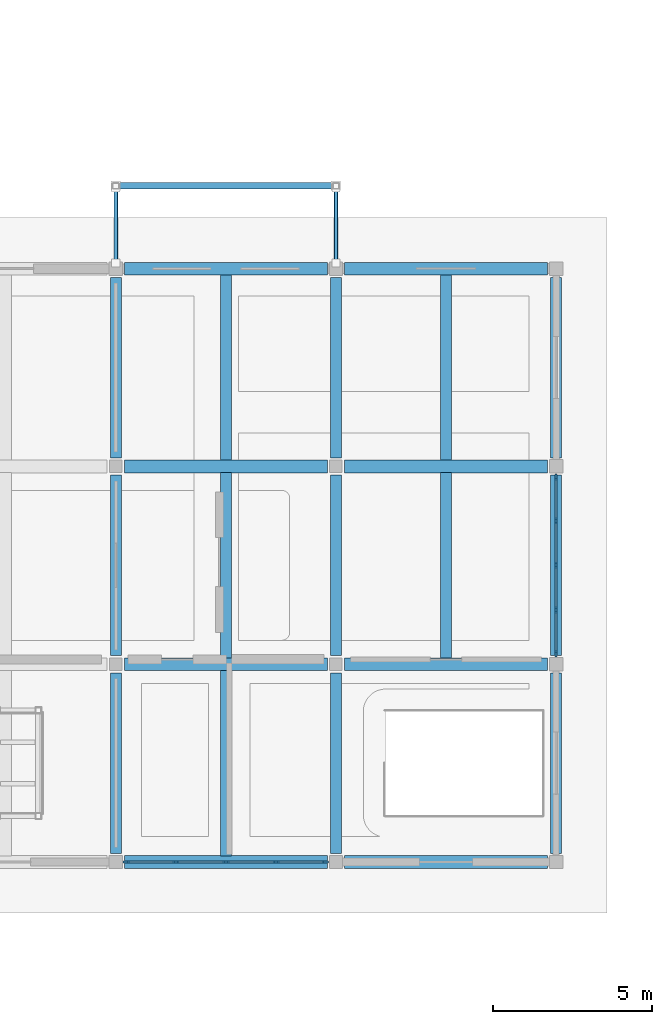
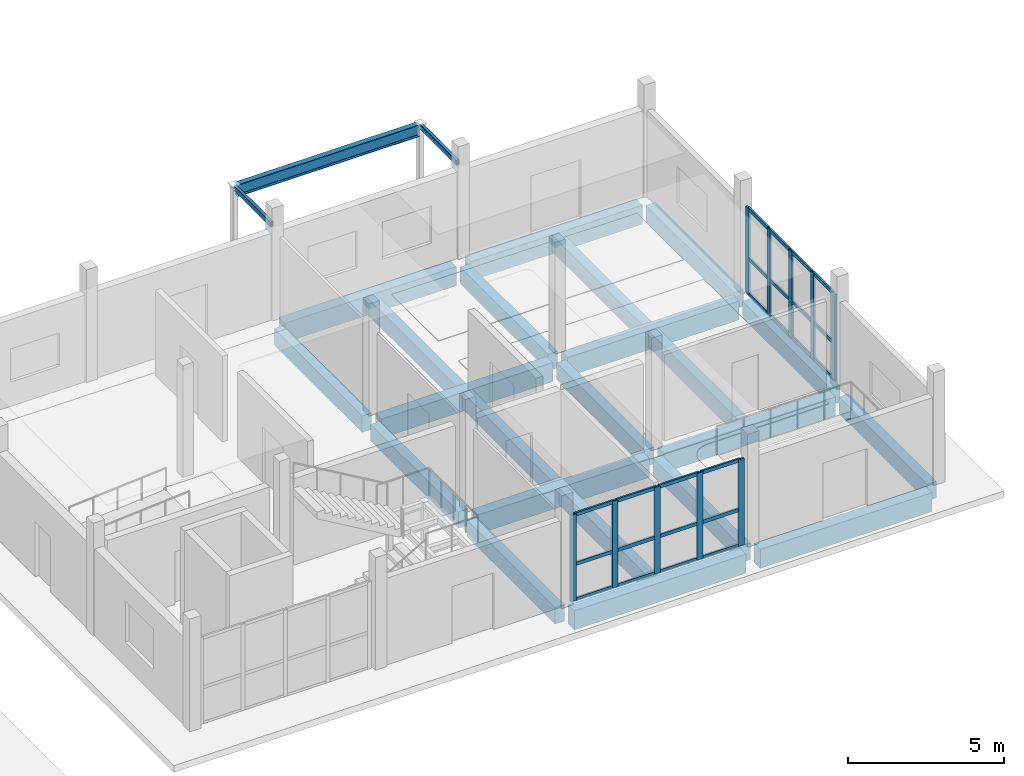
# One storey, part 43 of 92: 34 members, 25 beams, 2 elements without a shape of their own.
"""IFC4 building model written with IfcOpenShell, lengths in metres."""

from ifc_helpers import new_model, si_unit, direction, frame, origin, origin_2d, place, context, subcontext, project, spatial, rectangle, hollow_rectangle, i_section, extrude, material, layer, layer_set, material_profile, profile_set, type_object, element, aggregate, save


model = new_model("IFC4")

# Units and contexts
model_context = context("Model", 3, precision=1e-05, world=origin(), true_north=direction((0.0, 1.0)))
body_context = subcontext(model_context, "Body", "Model", "MODEL_VIEW")
ifc_project = project(units=[si_unit("LENGTHUNIT", "METRE"), si_unit("AREAUNIT", "SQUARE_METRE"), si_unit("VOLUMEUNIT", "CUBIC_METRE"), si_unit("PLANEANGLEUNIT", "RADIAN"), si_unit("MASSUNIT", "GRAM", prefix="KILO")], contexts=[model_context])

# Site, building, storey
site_placement = place(None, origin())
site = spatial("IfcSite", under=ifc_project, at=site_placement, CompositionType="ELEMENT")
building_placement = place(site_placement, origin())
building = spatial("IfcBuilding", under=site, at=building_placement, Name="Caldaven Crescent School", CompositionType="ELEMENT")
storey_placement = place(building_placement, origin())
storey = spatial("IfcBuildingStorey", under=building, at=storey_placement, Name="L00", CompositionType="ELEMENT", Elevation=0.0)

# Beams
ifc_material_1 = material(Name="Concrete C30/37", Category="concrete")
ifc_material_profile_1 = material_profile(ifc_material_1, rectangle(XDim=0.35009765625, YDim=0.64990234375, at=origin_2d()), Name="RC 350x650")
ifc_profile_set_1 = profile_set([ifc_material_profile_1], Name="Concrete C30/37")
beam_type_1 = type_object("IfcBeamType", Name="BM-RC35", PredefinedType="BEAM", material=ifc_profile_set_1)
beam_1_placement = place(storey_placement, frame((136.699951171875, 4.469970703125, -0.5849609375), z_axis=(0.0, 1.0, 0.0), x_axis=(-1.0, 0.0, 0.0)))
element("IfcBeam", 1, at=beam_1_placement, inside=storey, type_object=beam_type_1, Name="BMY-V3-L00-0444", PredefinedType="BEAM", context=body_context, shape_type="SweptSolid", body=[
    extrude(rectangle(XDim=0.35009765625, YDim=0.64990234375, at=origin_2d()), origin(), (0.0, 0.0, 1.0), 5.659912109375),
])
beam_2_placement = place(storey_placement, frame((136.699951171875, 10.669921875, -0.5849609375), z_axis=(0.0, 1.0, 0.0), x_axis=(-1.0, 0.0, 0.0)))
element("IfcBeam", 2, at=beam_2_placement, inside=storey, type_object=beam_type_1, Name="BMY-V3-L00-0445", PredefinedType="BEAM", context=body_context, shape_type="SweptSolid", body=[
    extrude(rectangle(XDim=0.35009765625, YDim=0.64990234375, at=origin_2d()), origin(), (0.0, 0.0, 1.0), 5.66015625),
])
for number, where, z_axis, x_axis, name in (
    (3, (136.699951171875, 16.8701171875, -0.5849609375), (0.0, 1.0, 0.0), (-1.0, 0.0, 0.0), "BMY-V3-L00-0446"),
    (4, (143.60009765625, 4.469970703125, -0.5849609375), (0.0, 1.0, 0.0), (-1.0, 0.0, 0.0), "BMY-V3-L00-0447"),
):
    element("IfcBeam", number, at=place(storey_placement, frame(where, z_axis=z_axis, x_axis=x_axis)), inside=storey, type_object=beam_type_1, Name=name, PredefinedType="BEAM", context=body_context, shape_type="SweptSolid", body=[
        extrude(rectangle(XDim=0.35009765625, YDim=0.64990234375, at=origin_2d()), origin(), (0.0, 0.0, 1.0), 5.659912109375),
    ])
beam_3_placement = place(storey_placement, frame((143.60009765625, 10.669921875, -0.5849609375), z_axis=(0.0, 1.0, 0.0), x_axis=(-1.0, 0.0, 0.0)))
element("IfcBeam", 5, at=beam_3_placement, inside=storey, type_object=beam_type_1, Name="BMY-V3-L00-0448", PredefinedType="BEAM", context=body_context, shape_type="SweptSolid", body=[
    extrude(rectangle(XDim=0.35009765625, YDim=0.64990234375, at=origin_2d()), origin(), (0.0, 0.0, 1.0), 5.66015625),
])
for number, where, z_axis, x_axis, name in (
    (6, (143.60009765625, 16.8701171875, -0.5849609375), (0.0, 1.0, 0.0), (-1.0, 0.0, 0.0), "BMY-V3-L00-0449"),
    (7, (150.5, 4.469970703125, -0.5849609375), (0.0, 1.0, 0.0), (-1.0, 0.0, 0.0), "BMY-V3-L00-0450"),
):
    element("IfcBeam", number, at=place(storey_placement, frame(where, z_axis=z_axis, x_axis=x_axis)), inside=storey, type_object=beam_type_1, Name=name, PredefinedType="BEAM", context=body_context, shape_type="SweptSolid", body=[
        extrude(rectangle(XDim=0.35009765625, YDim=0.64990234375, at=origin_2d()), origin(), (0.0, 0.0, 1.0), 5.659912109375),
    ])
beam_4_placement = place(storey_placement, frame((150.5, 10.669921875, -0.5849609375), z_axis=(0.0, 1.0, 0.0), x_axis=(-1.0, 0.0, 0.0)))
element("IfcBeam", 8, at=beam_4_placement, inside=storey, type_object=beam_type_1, Name="BMY-V3-L00-0451", PredefinedType="BEAM", context=body_context, shape_type="SweptSolid", body=[
    extrude(rectangle(XDim=0.35009765625, YDim=0.64990234375, at=origin_2d()), origin(), (0.0, 0.0, 1.0), 5.66015625),
])
beam_5_placement = place(storey_placement, frame((150.5, 16.8701171875, -0.5849609375), z_axis=(0.0, 1.0, 0.0), x_axis=(-1.0, 0.0, 0.0)))
element("IfcBeam", 9, at=beam_5_placement, inside=storey, type_object=beam_type_1, Name="BMY-V3-L00-0452", PredefinedType="BEAM", context=body_context, shape_type="SweptSolid", body=[
    extrude(rectangle(XDim=0.35009765625, YDim=0.64990234375, at=origin_2d()), origin(), (0.0, 0.0, 1.0), 5.659912109375),
])
for number, where, z_axis, x_axis, name in (
    (10, (140.14990234375, 4.39501953125, -0.5849609375), (0.0, 1.0, 0.0), (-1.0, 0.0, 0.0), "JS-V3-L00-0458"),
    (11, (140.14990234375, 10.594970703125, -0.5849609375), (0.0, 1.0, 0.0), (-1.0, 0.0, 0.0), "JS-V3-L00-0459"),
    (12, (140.14990234375, 16.794921875, -0.5849609375), (0.0, 1.0, 0.0), (-1.0, 0.0, 0.0), "JS-V3-L00-0460"),
    (13, (147.050048828125, 10.594970703125, -0.5849609375), (0.0, 1.0, 0.0), (-1.0, 0.0, 0.0), "JS-V3-L00-0461"),
    (14, (147.050048828125, 16.794921875, -0.5849609375), (0.0, 1.0, 0.0), (-1.0, 0.0, 0.0), "JS-V3-L00-0462"),
):
    element("IfcBeam", number, at=place(storey_placement, frame(where, z_axis=z_axis, x_axis=x_axis)), inside=storey, type_object=beam_type_1, Name=name, PredefinedType="BEAM", context=body_context, shape_type="SweptSolid", body=[
        extrude(rectangle(XDim=0.35009765625, YDim=0.64990234375, at=origin_2d()), origin(), (0.0, 0.0, 1.0), 5.81005859375),
    ])
ifc_material_2 = material(Name="Concrete C35/45", Category="concrete")
ifc_material_profile_2 = material_profile(ifc_material_2, rectangle(XDim=0.39990234375, YDim=0.75, at=origin_2d()), Name="RC 400x750")
ifc_profile_set_2 = profile_set([ifc_material_profile_2], Name="Concrete C35/45")
beam_type_2 = type_object("IfcBeamType", Name="BM-RC40", PredefinedType="BEAM", material=ifc_profile_set_2)
beam_6_placement = place(storey_placement, frame((136.969970703125, 4.199951171875, -0.635009765625), z_axis=(1.0, 0.0, 0.0), x_axis=(0.0, 1.0, 0.0)))
element("IfcBeam", 15, at=beam_6_placement, inside=storey, type_object=beam_type_2, Name="BMX-V3-L00-0424", PredefinedType="BEAM", context=body_context, shape_type="SweptSolid", body=[
    extrude(rectangle(XDim=0.39990234375, YDim=0.75, at=origin_2d()), origin(), (0.0, 0.0, 1.0), 6.360107421875),
])
beam_7_placement = place(storey_placement, frame((143.8701171875, 4.199951171875, -0.635009765625), z_axis=(1.0, 0.0, 0.0), x_axis=(0.0, 1.0, 0.0)))
element("IfcBeam", 16, at=beam_7_placement, inside=storey, type_object=beam_type_2, Name="BMX-V3-L00-0425", PredefinedType="BEAM", context=body_context, shape_type="SweptSolid", body=[
    extrude(rectangle(XDim=0.39990234375, YDim=0.75, at=origin_2d()), origin(), (0.0, 0.0, 1.0), 6.35986328125),
])
beam_8_placement = place(storey_placement, frame((136.969970703125, 10.39990234375, -0.635009765625), z_axis=(1.0, 0.0, 0.0), x_axis=(0.0, 1.0, 0.0)))
element("IfcBeam", 17, at=beam_8_placement, inside=storey, type_object=beam_type_2, Name="BMX-V3-L00-0428", PredefinedType="BEAM", context=body_context, shape_type="SweptSolid", body=[
    extrude(rectangle(XDim=0.39990234375, YDim=0.75, at=origin_2d()), origin(), (0.0, 0.0, 1.0), 6.360107421875),
])
beam_9_placement = place(storey_placement, frame((143.8701171875, 10.39990234375, -0.635009765625), z_axis=(1.0, 0.0, 0.0), x_axis=(0.0, 1.0, 0.0)))
element("IfcBeam", 18, at=beam_9_placement, inside=storey, type_object=beam_type_2, Name="BMX-V3-L00-0429", PredefinedType="BEAM", context=body_context, shape_type="SweptSolid", body=[
    extrude(rectangle(XDim=0.39990234375, YDim=0.75, at=origin_2d()), origin(), (0.0, 0.0, 1.0), 6.35986328125),
])
beam_10_placement = place(storey_placement, frame((136.969970703125, 16.60009765625, -0.635009765625), z_axis=(1.0, 0.0, 0.0), x_axis=(0.0, 1.0, 0.0)))
element("IfcBeam", 19, at=beam_10_placement, inside=storey, type_object=beam_type_2, Name="BMX-V3-L00-0432", PredefinedType="BEAM", context=body_context, shape_type="SweptSolid", body=[
    extrude(rectangle(XDim=0.39990234375, YDim=0.75, at=origin_2d()), origin(), (0.0, 0.0, 1.0), 6.360107421875),
])
beam_11_placement = place(storey_placement, frame((143.8701171875, 16.60009765625, -0.635009765625), z_axis=(1.0, 0.0, 0.0), x_axis=(0.0, 1.0, 0.0)))
element("IfcBeam", 20, at=beam_11_placement, inside=storey, type_object=beam_type_2, Name="BMX-V3-L00-0433", PredefinedType="BEAM", context=body_context, shape_type="SweptSolid", body=[
    extrude(rectangle(XDim=0.39990234375, YDim=0.75, at=origin_2d()), origin(), (0.0, 0.0, 1.0), 6.35986328125),
])
beam_12_placement = place(storey_placement, frame((136.969970703125, 22.800048828125, -0.635009765625), z_axis=(1.0, 0.0, 0.0), x_axis=(0.0, 1.0, 0.0)))
element("IfcBeam", 21, at=beam_12_placement, inside=storey, type_object=beam_type_2, Name="BMX-V3-L00-0436", PredefinedType="BEAM", context=body_context, shape_type="SweptSolid", body=[
    extrude(rectangle(XDim=0.39990234375, YDim=0.75, at=origin_2d()), origin(), (0.0, 0.0, 1.0), 6.360107421875),
])
beam_13_placement = place(storey_placement, frame((143.8701171875, 22.800048828125, -0.635009765625), z_axis=(1.0, 0.0, 0.0), x_axis=(0.0, 1.0, 0.0)))
element("IfcBeam", 22, at=beam_13_placement, inside=storey, type_object=beam_type_2, Name="BMX-V3-L00-0437", PredefinedType="BEAM", context=body_context, shape_type="SweptSolid", body=[
    extrude(rectangle(XDim=0.39990234375, YDim=0.75, at=origin_2d()), origin(), (0.0, 0.0, 1.0), 6.35986328125),
])
ifc_material_3 = material(Name="Steel ASTM A572 Grade 50", Category="steel")
ifc_material_profile_3 = material_profile(ifc_material_3, i_section(OverallWidth=0.194091796875, OverallDepth=0.468994140625, WebThickness=0.0126953125, FlangeThickness=0.0205078125, FilletRadius=0.014892578125, at=origin_2d()), Name="W460x106")
ifc_profile_set_3 = profile_set([ifc_material_profile_3], Name="Steel ASTM A572 Grade 50")
beam_type_3 = type_object("IfcBeamType", Name="BM-W46", PredefinedType="BEAM", material=ifc_profile_set_3)
beam_14_placement = place(storey_placement, frame((136.77001953125, 25.39990234375, 3.365478515625), z_axis=(1.0, 0.0, 0.0), x_axis=(0.0, 1.0, 0.0)))
element("IfcBeam", 23, at=beam_14_placement, inside=storey, type_object=beam_type_3, Name="BM-CAN-1-F-L00-0413", PredefinedType="BEAM", context=body_context, shape_type="SweptSolid", body=[
    extrude(i_section(OverallWidth=0.194091796875, OverallDepth=0.468994140625, WebThickness=0.0126953125, FlangeThickness=0.0205078125, FilletRadius=0.014892578125, at=origin_2d()), origin(), (0.0, 0.0, 1.0), 6.760009765625),
])

# Curtain wall, members
ifc_material_4 = material(Name="Anodised aluminium AA 6063-T6 and low-E double glazing", Category="aluminium")
ifc_layer = layer(ifc_material_4, 0.2099609375)
ifc_layer_set = layer_set([ifc_layer], Name="Anodised aluminium AA 6063-T6 and low-E double glazing")
curtain_wall_type = type_object("IfcCurtainWallType", Name="CW-SYS3", PredefinedType="NOTDEFINED", material=ifc_layer_set)
curtain_wall_1_placement = place(storey_placement, origin())
curtain_wall_1 = element("IfcCurtainWall", 24, at=curtain_wall_1_placement, inside=storey, type_object=curtain_wall_type, Name="CW-L00-082", PredefinedType="NOTDEFINED")
ifc_material_5 = material(Name="Anodised aluminium AA 6063-T6", Category="aluminium")
ifc_material_profile_4 = material_profile(ifc_material_5, rectangle(XDim=0.070068359375, YDim=0.2099609375, at=origin_2d()), Name="CWM 70x210")
ifc_profile_set_4 = profile_set([ifc_material_profile_4], Name="Anodised aluminium AA 6063-T6")
member_type_1 = type_object("IfcMemberType", Name="CWM-T3", PredefinedType="MULLION", material=ifc_profile_set_4)
member_1_placement = place(storey_placement, frame((137.034912109375, 4.199951171875, 0.0), z_axis=(0.0, 0.0, 1.0), x_axis=(0.0, 1.0, 0.0)))
member_1 = element("IfcMember", 25, at=member_1_placement, type_object=member_type_1, Name="CW3 mullion 1", PredefinedType="MULLION", context=body_context, shape_type="SweptSolid", body=[
    extrude(rectangle(XDim=0.070068359375, YDim=0.2099609375, at=origin_2d()), origin(), (0.0, 0.0, 1.0), 3.39990234375),
])
member_2_placement = place(storey_placement, frame((138.574951171875, 4.199951171875, 0.0), z_axis=(0.0, 0.0, 1.0), x_axis=(0.0, 1.0, 0.0)))
member_2 = element("IfcMember", 26, at=member_2_placement, type_object=member_type_1, Name="CW3 mullion 2", PredefinedType="MULLION", context=body_context, shape_type="SweptSolid", body=[
    extrude(rectangle(XDim=0.070068359375, YDim=0.2099609375, at=origin_2d()), origin(), (0.0, 0.0, 1.0), 3.39990234375),
])
member_3_placement = place(storey_placement, frame((140.14990234375, 4.199951171875, 0.0), z_axis=(0.0, 0.0, 1.0), x_axis=(0.0, 1.0, 0.0)))
member_3 = element("IfcMember", 27, at=member_3_placement, type_object=member_type_1, Name="CW3 mullion 3", PredefinedType="MULLION", context=body_context, shape_type="SweptSolid", body=[
    extrude(rectangle(XDim=0.070068359375, YDim=0.2099609375, at=origin_2d()), origin(), (0.0, 0.0, 1.0), 3.39990234375),
])
member_4_placement = place(storey_placement, frame((141.72509765625, 4.199951171875, 0.0), z_axis=(0.0, 0.0, 1.0), x_axis=(0.0, 1.0, 0.0)))
member_4 = element("IfcMember", 28, at=member_4_placement, type_object=member_type_1, Name="CW3 mullion 4", PredefinedType="MULLION", context=body_context, shape_type="SweptSolid", body=[
    extrude(rectangle(XDim=0.070068359375, YDim=0.2099609375, at=origin_2d()), origin(), (0.0, 0.0, 1.0), 3.39990234375),
])
member_5_placement = place(storey_placement, frame((143.264892578125, 4.199951171875, 0.0), z_axis=(0.0, 0.0, 1.0), x_axis=(0.0, 1.0, 0.0)))
member_5 = element("IfcMember", 29, at=member_5_placement, type_object=member_type_1, Name="CW3 mullion 5", PredefinedType="MULLION", context=body_context, shape_type="SweptSolid", body=[
    extrude(rectangle(XDim=0.070068359375, YDim=0.2099609375, at=origin_2d()), origin(), (0.0, 0.0, 1.0), 3.39990234375),
])

curtain_wall_2_placement = place(storey_placement, origin())
curtain_wall_2 = element("IfcCurtainWall", 30, at=curtain_wall_2_placement, inside=storey, type_object=curtain_wall_type, Name="CW-L00-083", PredefinedType="NOTDEFINED")
member_6_placement = place(storey_placement, frame((150.5, 10.735107421875, 0.0), z_axis=(0.0, 0.0, 1.0), x_axis=(-1.0, 0.0, 0.0)))
member_6 = element("IfcMember", 31, at=member_6_placement, type_object=member_type_1, Name="CW3 mullion 1", PredefinedType="MULLION", context=body_context, shape_type="SweptSolid", body=[
    extrude(rectangle(XDim=0.070068359375, YDim=0.2099609375, at=origin_2d()), origin(), (0.0, 0.0, 1.0), 3.39990234375),
])
member_7_placement = place(storey_placement, frame((150.5, 12.10009765625, 0.0), z_axis=(0.0, 0.0, 1.0), x_axis=(-1.0, 0.0, 0.0)))
member_7 = element("IfcMember", 32, at=member_7_placement, type_object=member_type_1, Name="CW3 mullion 2", PredefinedType="MULLION", context=body_context, shape_type="SweptSolid", body=[
    extrude(rectangle(XDim=0.070068359375, YDim=0.2099609375, at=origin_2d()), origin(), (0.0, 0.0, 1.0), 3.39990234375),
])
member_8_placement = place(storey_placement, frame((150.5, 13.5, 0.0), z_axis=(0.0, 0.0, 1.0), x_axis=(-1.0, 0.0, 0.0)))
member_8 = element("IfcMember", 33, at=member_8_placement, type_object=member_type_1, Name="CW3 mullion 3", PredefinedType="MULLION", context=body_context, shape_type="SweptSolid", body=[
    extrude(rectangle(XDim=0.070068359375, YDim=0.2099609375, at=origin_2d()), origin(), (0.0, 0.0, 1.0), 3.39990234375),
])
member_9_placement = place(storey_placement, frame((150.5, 14.89990234375, 0.0), z_axis=(0.0, 0.0, 1.0), x_axis=(-1.0, 0.0, 0.0)))
member_9 = element("IfcMember", 34, at=member_9_placement, type_object=member_type_1, Name="CW3 mullion 4", PredefinedType="MULLION", context=body_context, shape_type="SweptSolid", body=[
    extrude(rectangle(XDim=0.070068359375, YDim=0.2099609375, at=origin_2d()), origin(), (0.0, 0.0, 1.0), 3.39990234375),
])
member_10_placement = place(storey_placement, frame((150.5, 16.264892578125, 0.0), z_axis=(0.0, 0.0, 1.0), x_axis=(-1.0, 0.0, 0.0)))
member_10 = element("IfcMember", 35, at=member_10_placement, type_object=member_type_1, Name="CW3 mullion 5", PredefinedType="MULLION", context=body_context, shape_type="SweptSolid", body=[
    extrude(rectangle(XDim=0.070068359375, YDim=0.2099609375, at=origin_2d()), origin(), (0.0, 0.0, 1.0), 3.39990234375),
])

# Member
ifc_material_profile_5 = material_profile(ifc_material_5, rectangle(XDim=0.06494140625, YDim=0.139892578125, at=origin_2d()), Name="CWT 65x140")
ifc_profile_set_5 = profile_set([ifc_material_profile_5], Name="Anodised aluminium AA 6063-T6")
member_type_2 = type_object("IfcMemberType", Name="CWT-T2", PredefinedType="USERDEFINED", material=ifc_profile_set_5)
member_11_placement = place(storey_placement, frame((137.070068359375, 4.199951171875, 0.032470703125), z_axis=(1.0, 0.0, 0.0), x_axis=(0.0, 1.0, 0.0)))
member_11 = element("IfcMember", 36, at=member_11_placement, type_object=member_type_2, Name="CW3 transom 1.1", ObjectType="TRANSOM", PredefinedType="USERDEFINED", context=body_context, shape_type="SweptSolid", body=[
    extrude(rectangle(XDim=0.06494140625, YDim=0.139892578125, at=origin_2d()), origin(), (0.0, 0.0, 1.0), 1.469970703125),
])

member_12_placement = place(storey_placement, frame((137.070068359375, 4.199951171875, 1.427978515625), z_axis=(1.0, 0.0, 0.0), x_axis=(0.0, 1.0, 0.0)))
member_12 = element("IfcMember", 37, at=member_12_placement, type_object=member_type_2, Name="CW3 transom 1.2", ObjectType="TRANSOM", PredefinedType="USERDEFINED", context=body_context, shape_type="SweptSolid", body=[
    extrude(rectangle(XDim=0.06494140625, YDim=0.139892578125, at=origin_2d()), origin(), (0.0, 0.0, 1.0), 1.469970703125),
])

member_13_placement = place(storey_placement, frame((137.070068359375, 4.199951171875, 3.367431640625), z_axis=(1.0, 0.0, 0.0), x_axis=(0.0, 1.0, 0.0)))
member_13 = element("IfcMember", 38, at=member_13_placement, type_object=member_type_2, Name="CW3 transom 1.3", ObjectType="TRANSOM", PredefinedType="USERDEFINED", context=body_context, shape_type="SweptSolid", body=[
    extrude(rectangle(XDim=0.06494140625, YDim=0.139892578125, at=origin_2d()), origin(), (0.0, 0.0, 1.0), 1.469970703125),
])

member_14_placement = place(storey_placement, frame((138.610107421875, 4.199951171875, 0.032470703125), z_axis=(1.0, 0.0, 0.0), x_axis=(0.0, 1.0, 0.0)))
member_14 = element("IfcMember", 39, at=member_14_placement, type_object=member_type_2, Name="CW3 transom 2.1", ObjectType="TRANSOM", PredefinedType="USERDEFINED", context=body_context, shape_type="SweptSolid", body=[
    extrude(rectangle(XDim=0.06494140625, YDim=0.139892578125, at=origin_2d()), origin(), (0.0, 0.0, 1.0), 1.5048828125),
])

member_15_placement = place(storey_placement, frame((138.610107421875, 4.199951171875, 1.427978515625), z_axis=(1.0, 0.0, 0.0), x_axis=(0.0, 1.0, 0.0)))
member_15 = element("IfcMember", 40, at=member_15_placement, type_object=member_type_2, Name="CW3 transom 2.2", ObjectType="TRANSOM", PredefinedType="USERDEFINED", context=body_context, shape_type="SweptSolid", body=[
    extrude(rectangle(XDim=0.06494140625, YDim=0.139892578125, at=origin_2d()), origin(), (0.0, 0.0, 1.0), 1.5048828125),
])

member_16_placement = place(storey_placement, frame((138.610107421875, 4.199951171875, 3.367431640625), z_axis=(1.0, 0.0, 0.0), x_axis=(0.0, 1.0, 0.0)))
member_16 = element("IfcMember", 41, at=member_16_placement, type_object=member_type_2, Name="CW3 transom 2.3", ObjectType="TRANSOM", PredefinedType="USERDEFINED", context=body_context, shape_type="SweptSolid", body=[
    extrude(rectangle(XDim=0.06494140625, YDim=0.139892578125, at=origin_2d()), origin(), (0.0, 0.0, 1.0), 1.5048828125),
])

member_17_placement = place(storey_placement, frame((140.18505859375, 4.199951171875, 0.032470703125), z_axis=(1.0, 0.0, 0.0), x_axis=(0.0, 1.0, 0.0)))
member_17 = element("IfcMember", 42, at=member_17_placement, type_object=member_type_2, Name="CW3 transom 3.1", ObjectType="TRANSOM", PredefinedType="USERDEFINED", context=body_context, shape_type="SweptSolid", body=[
    extrude(rectangle(XDim=0.06494140625, YDim=0.139892578125, at=origin_2d()), origin(), (0.0, 0.0, 1.0), 1.5048828125),
])

member_18_placement = place(storey_placement, frame((140.18505859375, 4.199951171875, 1.427978515625), z_axis=(1.0, 0.0, 0.0), x_axis=(0.0, 1.0, 0.0)))
member_18 = element("IfcMember", 43, at=member_18_placement, type_object=member_type_2, Name="CW3 transom 3.2", ObjectType="TRANSOM", PredefinedType="USERDEFINED", context=body_context, shape_type="SweptSolid", body=[
    extrude(rectangle(XDim=0.06494140625, YDim=0.139892578125, at=origin_2d()), origin(), (0.0, 0.0, 1.0), 1.5048828125),
])

member_19_placement = place(storey_placement, frame((140.18505859375, 4.199951171875, 3.367431640625), z_axis=(1.0, 0.0, 0.0), x_axis=(0.0, 1.0, 0.0)))
member_19 = element("IfcMember", 44, at=member_19_placement, type_object=member_type_2, Name="CW3 transom 3.3", ObjectType="TRANSOM", PredefinedType="USERDEFINED", context=body_context, shape_type="SweptSolid", body=[
    extrude(rectangle(XDim=0.06494140625, YDim=0.139892578125, at=origin_2d()), origin(), (0.0, 0.0, 1.0), 1.5048828125),
])

member_20_placement = place(storey_placement, frame((141.760009765625, 4.199951171875, 0.032470703125), z_axis=(1.0, 0.0, 0.0), x_axis=(0.0, 1.0, 0.0)))
member_20 = element("IfcMember", 45, at=member_20_placement, type_object=member_type_2, Name="CW3 transom 4.1", ObjectType="TRANSOM", PredefinedType="USERDEFINED", context=body_context, shape_type="SweptSolid", body=[
    extrude(rectangle(XDim=0.06494140625, YDim=0.139892578125, at=origin_2d()), origin(), (0.0, 0.0, 1.0), 1.469970703125),
])

member_21_placement = place(storey_placement, frame((141.760009765625, 4.199951171875, 1.427978515625), z_axis=(1.0, 0.0, 0.0), x_axis=(0.0, 1.0, 0.0)))
member_21 = element("IfcMember", 46, at=member_21_placement, type_object=member_type_2, Name="CW3 transom 4.2", ObjectType="TRANSOM", PredefinedType="USERDEFINED", context=body_context, shape_type="SweptSolid", body=[
    extrude(rectangle(XDim=0.06494140625, YDim=0.139892578125, at=origin_2d()), origin(), (0.0, 0.0, 1.0), 1.469970703125),
])

member_22_placement = place(storey_placement, frame((141.760009765625, 4.199951171875, 3.367431640625), z_axis=(1.0, 0.0, 0.0), x_axis=(0.0, 1.0, 0.0)))
member_22 = element("IfcMember", 47, at=member_22_placement, type_object=member_type_2, Name="CW3 transom 4.3", ObjectType="TRANSOM", PredefinedType="USERDEFINED", context=body_context, shape_type="SweptSolid", body=[
    extrude(rectangle(XDim=0.06494140625, YDim=0.139892578125, at=origin_2d()), origin(), (0.0, 0.0, 1.0), 1.469970703125),
])

aggregate(curtain_wall_1, [member_1, member_2, member_3, member_4, member_5, member_11, member_12, member_13, member_14, member_15, member_16, member_17, member_18, member_19, member_20, member_21, member_22])

member_23_placement = place(storey_placement, frame((150.5, 10.77001953125, 0.032470703125), z_axis=(0.0, 1.0, 0.0), x_axis=(-1.0, 0.0, 0.0)))
member_23 = element("IfcMember", 48, at=member_23_placement, type_object=member_type_2, Name="CW3 transom 1.1", ObjectType="TRANSOM", PredefinedType="USERDEFINED", context=body_context, shape_type="SweptSolid", body=[
    extrude(rectangle(XDim=0.06494140625, YDim=0.139892578125, at=origin_2d()), origin(), (0.0, 0.0, 1.0), 1.294921875),
])

member_24_placement = place(storey_placement, frame((150.5, 10.77001953125, 1.427978515625), z_axis=(0.0, 1.0, 0.0), x_axis=(-1.0, 0.0, 0.0)))
member_24 = element("IfcMember", 49, at=member_24_placement, type_object=member_type_2, Name="CW3 transom 1.2", ObjectType="TRANSOM", PredefinedType="USERDEFINED", context=body_context, shape_type="SweptSolid", body=[
    extrude(rectangle(XDim=0.06494140625, YDim=0.139892578125, at=origin_2d()), origin(), (0.0, 0.0, 1.0), 1.294921875),
])

member_25_placement = place(storey_placement, frame((150.5, 10.77001953125, 3.367431640625), z_axis=(0.0, 1.0, 0.0), x_axis=(-1.0, 0.0, 0.0)))
member_25 = element("IfcMember", 50, at=member_25_placement, type_object=member_type_2, Name="CW3 transom 1.3", ObjectType="TRANSOM", PredefinedType="USERDEFINED", context=body_context, shape_type="SweptSolid", body=[
    extrude(rectangle(XDim=0.06494140625, YDim=0.139892578125, at=origin_2d()), origin(), (0.0, 0.0, 1.0), 1.294921875),
])

member_26_placement = place(storey_placement, frame((150.5, 12.135009765625, 0.032470703125), z_axis=(0.0, 1.0, 0.0), x_axis=(-1.0, 0.0, 0.0)))
member_26 = element("IfcMember", 51, at=member_26_placement, type_object=member_type_2, Name="CW3 transom 2.1", ObjectType="TRANSOM", PredefinedType="USERDEFINED", context=body_context, shape_type="SweptSolid", body=[
    extrude(rectangle(XDim=0.06494140625, YDim=0.139892578125, at=origin_2d()), origin(), (0.0, 0.0, 1.0), 1.330078125),
])

member_27_placement = place(storey_placement, frame((150.5, 12.135009765625, 1.427978515625), z_axis=(0.0, 1.0, 0.0), x_axis=(-1.0, 0.0, 0.0)))
member_27 = element("IfcMember", 52, at=member_27_placement, type_object=member_type_2, Name="CW3 transom 2.2", ObjectType="TRANSOM", PredefinedType="USERDEFINED", context=body_context, shape_type="SweptSolid", body=[
    extrude(rectangle(XDim=0.06494140625, YDim=0.139892578125, at=origin_2d()), origin(), (0.0, 0.0, 1.0), 1.330078125),
])

member_28_placement = place(storey_placement, frame((150.5, 12.135009765625, 3.367431640625), z_axis=(0.0, 1.0, 0.0), x_axis=(-1.0, 0.0, 0.0)))
member_28 = element("IfcMember", 53, at=member_28_placement, type_object=member_type_2, Name="CW3 transom 2.3", ObjectType="TRANSOM", PredefinedType="USERDEFINED", context=body_context, shape_type="SweptSolid", body=[
    extrude(rectangle(XDim=0.06494140625, YDim=0.139892578125, at=origin_2d()), origin(), (0.0, 0.0, 1.0), 1.330078125),
])

member_29_placement = place(storey_placement, frame((150.5, 13.534912109375, 0.032470703125), z_axis=(0.0, 1.0, 0.0), x_axis=(-1.0, 0.0, 0.0)))
member_29 = element("IfcMember", 54, at=member_29_placement, type_object=member_type_2, Name="CW3 transom 3.1", ObjectType="TRANSOM", PredefinedType="USERDEFINED", context=body_context, shape_type="SweptSolid", body=[
    extrude(rectangle(XDim=0.06494140625, YDim=0.139892578125, at=origin_2d()), origin(), (0.0, 0.0, 1.0), 1.330078125),
])

member_30_placement = place(storey_placement, frame((150.5, 13.534912109375, 1.427978515625), z_axis=(0.0, 1.0, 0.0), x_axis=(-1.0, 0.0, 0.0)))
member_30 = element("IfcMember", 55, at=member_30_placement, type_object=member_type_2, Name="CW3 transom 3.2", ObjectType="TRANSOM", PredefinedType="USERDEFINED", context=body_context, shape_type="SweptSolid", body=[
    extrude(rectangle(XDim=0.06494140625, YDim=0.139892578125, at=origin_2d()), origin(), (0.0, 0.0, 1.0), 1.330078125),
])

member_31_placement = place(storey_placement, frame((150.5, 13.534912109375, 3.367431640625), z_axis=(0.0, 1.0, 0.0), x_axis=(-1.0, 0.0, 0.0)))
member_31 = element("IfcMember", 56, at=member_31_placement, type_object=member_type_2, Name="CW3 transom 3.3", ObjectType="TRANSOM", PredefinedType="USERDEFINED", context=body_context, shape_type="SweptSolid", body=[
    extrude(rectangle(XDim=0.06494140625, YDim=0.139892578125, at=origin_2d()), origin(), (0.0, 0.0, 1.0), 1.330078125),
])

member_32_placement = place(storey_placement, frame((150.5, 14.93505859375, 0.032470703125), z_axis=(0.0, 1.0, 0.0), x_axis=(-1.0, 0.0, 0.0)))
member_32 = element("IfcMember", 57, at=member_32_placement, type_object=member_type_2, Name="CW3 transom 4.1", ObjectType="TRANSOM", PredefinedType="USERDEFINED", context=body_context, shape_type="SweptSolid", body=[
    extrude(rectangle(XDim=0.06494140625, YDim=0.139892578125, at=origin_2d()), origin(), (0.0, 0.0, 1.0), 1.294921875),
])

member_33_placement = place(storey_placement, frame((150.5, 14.93505859375, 1.427978515625), z_axis=(0.0, 1.0, 0.0), x_axis=(-1.0, 0.0, 0.0)))
member_33 = element("IfcMember", 58, at=member_33_placement, type_object=member_type_2, Name="CW3 transom 4.2", ObjectType="TRANSOM", PredefinedType="USERDEFINED", context=body_context, shape_type="SweptSolid", body=[
    extrude(rectangle(XDim=0.06494140625, YDim=0.139892578125, at=origin_2d()), origin(), (0.0, 0.0, 1.0), 1.294921875),
])

member_34_placement = place(storey_placement, frame((150.5, 14.93505859375, 3.367431640625), z_axis=(0.0, 1.0, 0.0), x_axis=(-1.0, 0.0, 0.0)))
member_34 = element("IfcMember", 59, at=member_34_placement, type_object=member_type_2, Name="CW3 transom 4.3", ObjectType="TRANSOM", PredefinedType="USERDEFINED", context=body_context, shape_type="SweptSolid", body=[
    extrude(rectangle(XDim=0.06494140625, YDim=0.139892578125, at=origin_2d()), origin(), (0.0, 0.0, 1.0), 1.294921875),
])

aggregate(curtain_wall_2, [member_6, member_7, member_8, member_9, member_10, member_23, member_24, member_25, member_26, member_27, member_28, member_29, member_30, member_31, member_32, member_33, member_34])

# Beams
ifc_material_profile_6 = material_profile(ifc_material_3, hollow_rectangle(XDim=0.1201171875, YDim=0.199951171875, WallThickness=0.008056640625, InnerFilletRadius=0.008056640625, OuterFilletRadius=0.01611328125, at=origin_2d()), Name="HSS 120x200x8")
ifc_profile_set_6 = profile_set([ifc_material_profile_6], Name="Steel ASTM A572 Grade 50")
beam_type_4 = type_object("IfcBeamType", Name="JS-HS20", PredefinedType="JOIST", material=ifc_profile_set_6)
for number, where, z_axis, x_axis, name in (
    (60, (136.699951171875, 22.97998046875, 3.5), (0.0, 1.0, 0.0), (-1.0, 0.0, 0.0), "BM-CAN-1-W-L00-0414"),
    (61, (143.60009765625, 22.97998046875, 3.5), (0.0, 1.0, 0.0), (-1.0, 0.0, 0.0), "BM-CAN-1-E-L00-0415"),
):
    element("IfcBeam", number, at=place(storey_placement, frame(where, z_axis=z_axis, x_axis=x_axis)), inside=storey, type_object=beam_type_4, Name=name, PredefinedType="JOIST", context=body_context, shape_type="SweptSolid", body=[
        extrude(hollow_rectangle(XDim=0.1201171875, YDim=0.199951171875, WallThickness=0.008056640625, InnerFilletRadius=0.008056640625, OuterFilletRadius=0.01611328125, at=origin_2d()), origin(), (0.0, 0.0, 1.0), 2.35009765625),
    ])

save(model, "model.ifc")
